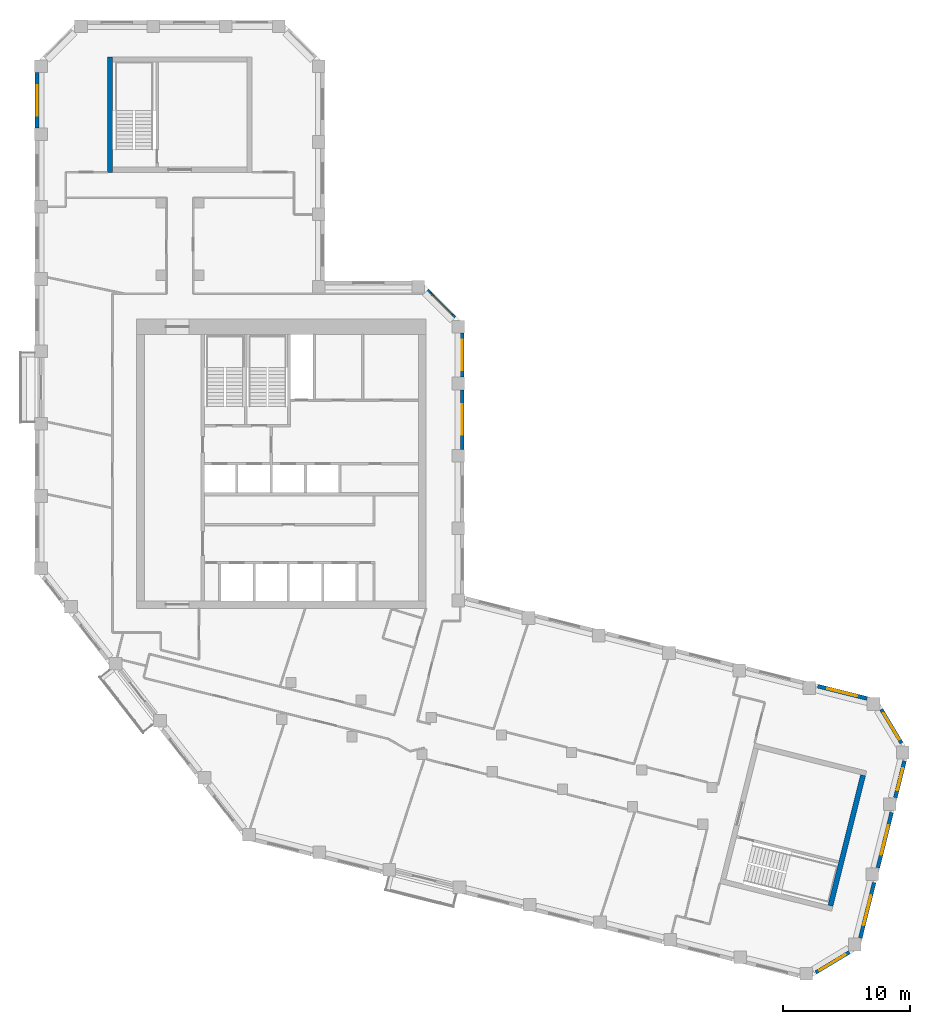
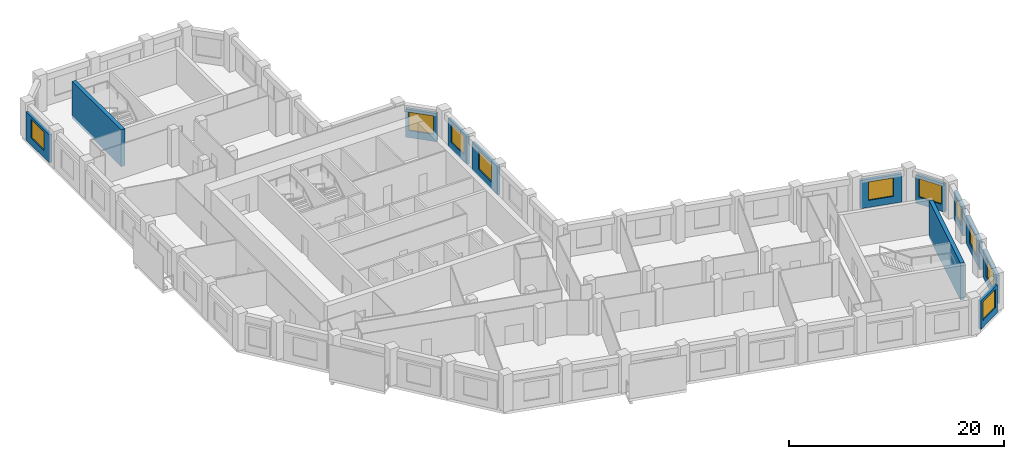
# One storey, part 7 of 9: 12 walls, 10 windows, 10 openings.
"""IFC4 building model written with IfcOpenShell, lengths in metres."""

from ifc_helpers import new_model, si_unit, direction, frame, frame_2d, origin, place, context, subcontext, project, spatial, rectangle, extrude, material, layer, layer_set, type_object, element, fill, save


model = new_model("IFC4")

# Units and contexts
model_context = context("Model", 3, precision=1e-05, world=origin(), true_north=direction((0.0, 1.0)))
body_context = subcontext(model_context, "Body", "Model", "MODEL_VIEW")
ifc_project = project(units=[si_unit("LENGTHUNIT", "METRE"), si_unit("AREAUNIT", "SQUARE_METRE"), si_unit("VOLUMEUNIT", "CUBIC_METRE"), si_unit("PLANEANGLEUNIT", "RADIAN"), si_unit("MASSUNIT", "GRAM", prefix="KILO")], contexts=[model_context])

# Site, building, storey
site_placement = place(None, origin())
site = spatial("IfcSite", under=ifc_project, at=site_placement, CompositionType="ELEMENT")
building_placement = place(site_placement, origin())
building = spatial("IfcBuilding", under=site, at=building_placement, Name="Meshkara Civic Tower", CompositionType="ELEMENT")
storey_placement = place(building_placement, frame((0.0, 0.0, 336.0)))
storey = spatial("IfcBuildingStorey", under=building, at=storey_placement, Name="L77", CompositionType="ELEMENT", Elevation=336.0)

# Wall, opening, window
ifc_material_1 = material(Name="Insulated infill panel with bronze anodised aluminium cladding", Category="aluminium")
ifc_layer_1 = layer(ifc_material_1, 0.300048828125)
ifc_layer_set_1 = layer_set([ifc_layer_1], Name="EXTERNAL INFILL WALL 300")
wall_type_1 = type_object("IfcWallType", Name="EXTERNAL INFILL WALL 300", PredefinedType="SOLIDWALL", material=ifc_layer_set_1)
wall_1_placement = place(storey_placement, frame((65.548095703125, 7.0, 0.0), z_axis=(0.0, 0.0, 1.0), x_axis=(-0.970260773365, 0.242062040951, 0.0)))
wall_1 = element("IfcWall", 1, at=wall_1_placement, inside=storey, type_object=wall_type_1, Name="External wall", PredefinedType="SOLIDWALL", context=body_context, shape_type="SweptSolid", body=[
    extrude(rectangle(XDim=4.003173828125, YDim=0.300048828125, at=frame_2d((2.00146484375, 0.0))), origin(), (0.0, 0.0, 1.0), 3.199951171875),
])
opening_1_placement = place(wall_1_placement, frame((0.801025390625, 0.0, 0.800048828125)))
opening_1 = element("IfcOpeningElement", 2, at=opening_1_placement, cuts=wall_1, Name="Opening W7", PredefinedType="OPENING", context=body_context, shape_type="SweptSolid", body=[
    extrude(rectangle(XDim=2.39990234375, YDim=2.10009765625, at=frame_2d((1.199951171875, 1.050048828125))), frame((0.0, 0.159912109375, 0.0), z_axis=(0.0, -1.0, 0.0), x_axis=(1.0, 0.0, 0.0)), (0.0, 0.0, 1.0), 0.320068359375),
])
ifc_material_2 = material(Name="Tinted double glazing", Category="glass")
window_type_1 = type_object("IfcWindowType", Name="WINDOW 2400x2100", PartitioningType="DOUBLE_PANEL_VERTICAL", PredefinedType="WINDOW", material=ifc_material_2)
window_1_placement = place(opening_1_placement, origin())
window_1 = element("IfcWindow", 3, at=window_1_placement, inside=storey, type_object=window_type_1, Name="Window", OverallHeight=2.10009765625, OverallWidth=2.39990234375, PartitioningType="DOUBLE_PANEL_VERTICAL", PredefinedType="WINDOW", context=body_context, shape_type="SweptSolid", body=[
    extrude(rectangle(XDim=2.39990234375, YDim=2.10009765625, at=frame_2d((1.199951171875, 1.050048828125))), frame((0.0, 0.030029296875, 0.0), z_axis=(0.0, -1.0, 0.0), x_axis=(1.0, 0.0, 0.0)), (0.0, 0.0, 1.0), 0.06005859375),
])
fill(opening_1, window_1)

wall_2_placement = place(storey_placement, frame((33.64990234375, 26.618896484375, 0.0), z_axis=(0.0, 0.0, 1.0), x_axis=(0.0, 1.0, 0.0)))
wall_2 = element("IfcWall", 4, at=wall_2_placement, inside=storey, type_object=wall_type_1, Name="External wall", PredefinedType="SOLIDWALL", context=body_context, shape_type="SweptSolid", body=[
    extrude(rectangle(XDim=4.7001953125, YDim=0.300048828125, at=frame_2d((2.35009765625, 0.0))), origin(), (0.0, 0.0, 1.0), 3.199951171875),
])
opening_2_placement = place(wall_2_placement, frame((1.14990234375, 0.0, 0.800048828125)))
opening_2 = element("IfcOpeningElement", 5, at=opening_2_placement, cuts=wall_2, Name="Opening W7", PredefinedType="OPENING", context=body_context, shape_type="SweptSolid", body=[
    extrude(rectangle(XDim=2.39990234375, YDim=2.10009765625, at=frame_2d((1.199951171875, 1.050048828125))), frame((0.0, 0.159912109375, 0.0), z_axis=(0.0, -1.0, 0.0), x_axis=(1.0, 0.0, 0.0)), (0.0, 0.0, 1.0), 0.320068359375),
])
window_2_placement = place(opening_2_placement, origin())
window_2 = element("IfcWindow", 6, at=window_2_placement, inside=storey, type_object=window_type_1, Name="Window", OverallHeight=2.10009765625, OverallWidth=2.39990234375, PartitioningType="DOUBLE_PANEL_VERTICAL", PredefinedType="WINDOW", context=body_context, shape_type="SweptSolid", body=[
    extrude(rectangle(XDim=2.39990234375, YDim=2.10009765625, at=frame_2d((1.199951171875, 1.050048828125))), frame((0.0, 0.030029296875, 0.0), z_axis=(0.0, -1.0, 0.0), x_axis=(1.0, 0.0, 0.0)), (0.0, 0.0, 1.0), 0.06005859375),
])
fill(opening_2, window_2)

wall_3_placement = place(storey_placement, frame((33.64990234375, 32.319091796875, 0.0), z_axis=(0.0, 0.0, 1.0), x_axis=(0.0, 1.0, 0.0)))
wall_3 = element("IfcWall", 7, at=wall_3_placement, inside=storey, type_object=wall_type_1, Name="External wall", PredefinedType="SOLIDWALL", context=body_context, shape_type="SweptSolid", body=[
    extrude(rectangle(XDim=3.474853515625, YDim=0.300048828125, at=frame_2d((1.7373046875, 0.0))), origin(), (0.0, 0.0, 1.0), 3.199951171875),
])
opening_3_placement = place(wall_3_placement, frame((0.5380859375, 0.0, 0.800048828125)))
opening_3 = element("IfcOpeningElement", 8, at=opening_3_placement, cuts=wall_3, Name="Opening W7", PredefinedType="OPENING", context=body_context, shape_type="SweptSolid", body=[
    extrude(rectangle(XDim=2.39990234375, YDim=2.10009765625, at=frame_2d((1.199951171875, 1.050048828125))), frame((0.0, 0.159912109375, 0.0), z_axis=(0.0, -1.0, 0.0), x_axis=(1.0, 0.0, 0.0)), (0.0, 0.0, 1.0), 0.320068359375),
])
window_3_placement = place(opening_3_placement, origin())
window_3 = element("IfcWindow", 9, at=window_3_placement, inside=storey, type_object=window_type_1, Name="Window", OverallHeight=2.10009765625, OverallWidth=2.39990234375, PartitioningType="DOUBLE_PANEL_VERTICAL", PredefinedType="WINDOW", context=body_context, shape_type="SweptSolid", body=[
    extrude(rectangle(XDim=2.39990234375, YDim=2.10009765625, at=frame_2d((1.199951171875, 1.050048828125))), frame((0.0, 0.030029296875, 0.0), z_axis=(0.0, -1.0, 0.0), x_axis=(1.0, 0.0, 0.0)), (0.0, 0.0, 1.0), 0.06005859375),
])
fill(opening_3, window_3)

wall_4_placement = place(storey_placement, frame((33.06201171875, 37.006103515625, 0.0), z_axis=(0.0, 0.0, 1.0), x_axis=(-0.707106781187, 0.707106781187, 0.0)))
wall_4 = element("IfcWall", 10, at=wall_4_placement, inside=storey, type_object=wall_type_1, Name="External wall", PredefinedType="SOLIDWALL", context=body_context, shape_type="SweptSolid", body=[
    extrude(rectangle(XDim=3.049072265625, YDim=0.300048828125, at=frame_2d((1.5244140625, 0.0))), origin(), (0.0, 0.0, 1.0), 3.199951171875),
])
opening_4_placement = place(wall_4_placement, frame((0.324951171875, 0.0, 0.800048828125)))
opening_4 = element("IfcOpeningElement", 11, at=opening_4_placement, cuts=wall_4, Name="Opening W7", PredefinedType="OPENING", context=body_context, shape_type="SweptSolid", body=[
    extrude(rectangle(XDim=2.39990234375, YDim=2.10009765625, at=frame_2d((1.199951171875, 1.050048828125))), frame((0.0, 0.159912109375, 0.0), z_axis=(0.0, -1.0, 0.0), x_axis=(1.0, 0.0, 0.0)), (0.0, 0.0, 1.0), 0.320068359375),
])
window_4_placement = place(opening_4_placement, origin())
window_4 = element("IfcWindow", 12, at=window_4_placement, inside=storey, type_object=window_type_1, Name="Window", OverallHeight=2.10009765625, OverallWidth=2.39990234375, PartitioningType="DOUBLE_PANEL_VERTICAL", PredefinedType="WINDOW", context=body_context, shape_type="SweptSolid", body=[
    extrude(rectangle(XDim=2.39990234375, YDim=2.10009765625, at=frame_2d((1.199951171875, 1.050048828125))), frame((0.0, 0.030029296875, 0.0), z_axis=(0.0, -1.0, 0.0), x_axis=(1.0, 0.0, 0.0)), (0.0, 0.0, 1.0), 0.06005859375),
])
fill(opening_4, window_4)

wall_5_placement = place(storey_placement, frame((0.14990234375, 56.31396484375, 0.0), z_axis=(0.0, 0.0, 1.0), x_axis=(0.0, -1.0, 0.0)))
wall_5 = element("IfcWall", 13, at=wall_5_placement, inside=storey, type_object=wall_type_1, Name="External wall", PredefinedType="SOLIDWALL", context=body_context, shape_type="SweptSolid", body=[
    extrude(rectangle(XDim=4.35888671875, YDim=0.300048828125, at=frame_2d((2.179443359375, 0.0))), origin(), (0.0, 0.0, 1.0), 3.199951171875),
])
opening_5_placement = place(wall_5_placement, frame((0.97998046875, 0.0, 0.800048828125)))
opening_5 = element("IfcOpeningElement", 14, at=opening_5_placement, cuts=wall_5, Name="Opening W7", PredefinedType="OPENING", context=body_context, shape_type="SweptSolid", body=[
    extrude(rectangle(XDim=2.39990234375, YDim=2.10009765625, at=frame_2d((1.199951171875, 1.050048828125))), frame((0.0, 0.159912109375, 0.0), z_axis=(0.0, -1.0, 0.0), x_axis=(1.0, 0.0, 0.0)), (0.0, 0.0, 1.0), 0.320068359375),
])
window_5_placement = place(opening_5_placement, origin())
window_5 = element("IfcWindow", 15, at=window_5_placement, inside=storey, type_object=window_type_1, Name="Window", OverallHeight=2.10009765625, OverallWidth=2.39990234375, PartitioningType="DOUBLE_PANEL_VERTICAL", PredefinedType="WINDOW", context=body_context, shape_type="SweptSolid", body=[
    extrude(rectangle(XDim=2.39990234375, YDim=2.10009765625, at=frame_2d((1.199951171875, 1.050048828125))), frame((0.0, 0.030029296875, 0.0), z_axis=(0.0, -1.0, 0.0), x_axis=(1.0, 0.0, 0.0)), (0.0, 0.0, 1.0), 0.06005859375),
])
fill(opening_5, window_5)

wall_6_placement = place(storey_placement, frame((61.509033203125, -14.591064453125, 0.0), z_axis=(0.0, 0.0, 1.0), x_axis=(0.856969799001, 0.515366630275, 0.0)))
wall_6 = element("IfcWall", 16, at=wall_6_placement, inside=storey, type_object=wall_type_1, Name="External wall", PredefinedType="SOLIDWALL", context=body_context, shape_type="SweptSolid", body=[
    extrude(rectangle(XDim=3.091064453125, YDim=0.300048828125, at=frame_2d((1.54541015625, 0.0))), origin(), (0.0, 0.0, 1.0), 3.199951171875),
])
opening_6_placement = place(wall_6_placement, frame((0.344970703125, 0.0, 0.800048828125)))
opening_6 = element("IfcOpeningElement", 17, at=opening_6_placement, cuts=wall_6, Name="Opening W7", PredefinedType="OPENING", context=body_context, shape_type="SweptSolid", body=[
    extrude(rectangle(XDim=2.39990234375, YDim=2.10009765625, at=frame_2d((1.199951171875, 1.050048828125))), frame((0.0, 0.159912109375, 0.0), z_axis=(0.0, -1.0, 0.0), x_axis=(1.0, 0.0, 0.0)), (0.0, 0.0, 1.0), 0.320068359375),
])
window_6_placement = place(opening_6_placement, origin())
window_6 = element("IfcWindow", 18, at=window_6_placement, inside=storey, type_object=window_type_1, Name="Window", OverallHeight=2.10009765625, OverallWidth=2.39990234375, PartitioningType="DOUBLE_PANEL_VERTICAL", PredefinedType="WINDOW", context=body_context, shape_type="SweptSolid", body=[
    extrude(rectangle(XDim=2.39990234375, YDim=2.10009765625, at=frame_2d((1.199951171875, 1.050048828125))), frame((0.0, 0.030029296875, 0.0), z_axis=(0.0, -1.0, 0.0), x_axis=(1.0, 0.0, 0.0)), (0.0, 0.0, 1.0), 0.06005859375),
])
fill(opening_6, window_6)

wall_7_placement = place(storey_placement, frame((65.029052734375, -11.8720703125, 0.0), z_axis=(0.0, 0.0, 1.0), x_axis=(0.241946839653, 0.970289506684, 0.0)))
wall_7 = element("IfcWall", 19, at=wall_7_placement, inside=storey, type_object=wall_type_1, Name="External wall", PredefinedType="SOLIDWALL", context=body_context, shape_type="SweptSolid", body=[
    extrude(rectangle(XDim=4.48828125, YDim=0.300048828125, at=frame_2d((2.244140625, 0.0))), origin(), (0.0, 0.0, 1.0), 3.199951171875),
])
opening_7_placement = place(wall_7_placement, frame((1.0439453125, 0.0, 0.800048828125)))
opening_7 = element("IfcOpeningElement", 20, at=opening_7_placement, cuts=wall_7, Name="Opening W7", PredefinedType="OPENING", context=body_context, shape_type="SweptSolid", body=[
    extrude(rectangle(XDim=2.39990234375, YDim=2.10009765625, at=frame_2d((1.199951171875, 1.050048828125))), frame((0.0, 0.159912109375, 0.0), z_axis=(0.0, -1.0, 0.0), x_axis=(1.0, 0.0, 0.0)), (0.0, 0.0, 1.0), 0.320068359375),
])
window_7_placement = place(opening_7_placement, origin())
window_7 = element("IfcWindow", 21, at=window_7_placement, inside=storey, type_object=window_type_1, Name="Window", OverallHeight=2.10009765625, OverallWidth=2.39990234375, PartitioningType="DOUBLE_PANEL_VERTICAL", PredefinedType="WINDOW", context=body_context, shape_type="SweptSolid", body=[
    extrude(rectangle(XDim=2.39990234375, YDim=2.10009765625, at=frame_2d((1.199951171875, 1.050048828125))), frame((0.0, 0.030029296875, 0.0), z_axis=(0.0, -1.0, 0.0), x_axis=(1.0, 0.0, 0.0)), (0.0, 0.0, 1.0), 0.06005859375),
])
fill(opening_7, window_7)

wall_8_placement = place(storey_placement, frame((66.407958984375, -6.341064453125, 0.0), z_axis=(0.0, 0.0, 1.0), x_axis=(0.241997928406, 0.970276766004, 0.0)))
wall_8 = element("IfcWall", 22, at=wall_8_placement, inside=storey, type_object=wall_type_1, Name="External wall", PredefinedType="SOLIDWALL", context=body_context, shape_type="SweptSolid", body=[
    extrude(rectangle(XDim=4.4873046875, YDim=0.300048828125, at=frame_2d((2.24365234375, 0.0))), origin(), (0.0, 0.0, 1.0), 3.199951171875),
])
opening_8_placement = place(wall_8_placement, frame((1.0439453125, 0.0, 0.800048828125)))
opening_8 = element("IfcOpeningElement", 23, at=opening_8_placement, cuts=wall_8, Name="Opening W7", PredefinedType="OPENING", context=body_context, shape_type="SweptSolid", body=[
    extrude(rectangle(XDim=2.39990234375, YDim=2.10009765625, at=frame_2d((1.199951171875, 1.050048828125))), frame((0.0, 0.159912109375, 0.0), z_axis=(0.0, -1.0, 0.0), x_axis=(1.0, 0.0, 0.0)), (0.0, 0.0, 1.0), 0.320068359375),
])
window_8_placement = place(opening_8_placement, origin())
window_8 = element("IfcWindow", 24, at=window_8_placement, inside=storey, type_object=window_type_1, Name="Window", OverallHeight=2.10009765625, OverallWidth=2.39990234375, PartitioningType="DOUBLE_PANEL_VERTICAL", PredefinedType="WINDOW", context=body_context, shape_type="SweptSolid", body=[
    extrude(rectangle(XDim=2.39990234375, YDim=2.10009765625, at=frame_2d((1.199951171875, 1.050048828125))), frame((0.0, 0.030029296875, 0.0), z_axis=(0.0, -1.0, 0.0), x_axis=(1.0, 0.0, 0.0)), (0.0, 0.0, 1.0), 0.06005859375),
])
fill(opening_8, window_8)

wall_9_placement = place(storey_placement, frame((67.787109375, -0.81103515625, 0.0), z_axis=(0.0, 0.0, 1.0), x_axis=(0.242052773757, 0.970263085311, 0.0)))
wall_9 = element("IfcWall", 25, at=wall_9_placement, inside=storey, type_object=wall_type_1, Name="External wall", PredefinedType="SOLIDWALL", context=body_context, shape_type="SweptSolid", body=[
    extrude(rectangle(XDim=2.974365234375, YDim=0.300048828125, at=frame_2d((1.4873046875, 0.0))), origin(), (0.0, 0.0, 1.0), 3.199951171875),
])
opening_9_placement = place(wall_9_placement, frame((0.5869140625, 0.0, 0.800048828125)))
opening_9 = element("IfcOpeningElement", 26, at=opening_9_placement, cuts=wall_9, Name="Opening W9", PredefinedType="OPENING", context=body_context, shape_type="SweptSolid", body=[
    extrude(rectangle(XDim=1.800048828125, YDim=2.10009765625, at=frame_2d((0.89990234375, 1.050048828125))), frame((0.0, 0.159912109375, 0.0), z_axis=(0.0, -1.0, 0.0), x_axis=(1.0, 0.0, 0.0)), (0.0, 0.0, 1.0), 0.320068359375),
])
ifc_material_3 = material(Name="Tinted double glazing", Category="glass")
window_type_2 = type_object("IfcWindowType", Name="WINDOW 1800x2100", PartitioningType="DOUBLE_PANEL_VERTICAL", PredefinedType="WINDOW", material=ifc_material_3)
window_9_placement = place(opening_9_placement, origin())
window_9 = element("IfcWindow", 27, at=window_9_placement, inside=storey, type_object=window_type_2, Name="Window", OverallHeight=2.10009765625, OverallWidth=1.800048828125, PartitioningType="DOUBLE_PANEL_VERTICAL", PredefinedType="WINDOW", context=body_context, shape_type="SweptSolid", body=[
    extrude(rectangle(XDim=1.800048828125, YDim=2.10009765625, at=frame_2d((0.89990234375, 1.050048828125))), frame((0.0, 0.030029296875, 0.0), z_axis=(0.0, -1.0, 0.0), x_axis=(1.0, 0.0, 0.0)), (0.0, 0.0, 1.0), 0.06005859375),
])
fill(opening_9, window_9)

wall_10_placement = place(storey_placement, frame((68.26611328125, 3.47900390625, 0.0), z_axis=(0.0, 0.0, 1.0), x_axis=(-0.514995068029, 0.857193140375, 0.0)))
wall_10 = element("IfcWall", 28, at=wall_10_placement, inside=storey, type_object=wall_type_1, Name="External wall", PredefinedType="SOLIDWALL", context=body_context, shape_type="SweptSolid", body=[
    extrude(rectangle(XDim=3.09130859375, YDim=0.300048828125, at=frame_2d((1.545654296875, 0.0))), origin(), (0.0, 0.0, 1.0), 3.199951171875),
])
opening_10_placement = place(wall_10_placement, frame((0.345947265625, 0.0, 0.800048828125)))
opening_10 = element("IfcOpeningElement", 29, at=opening_10_placement, cuts=wall_10, Name="Opening W7", PredefinedType="OPENING", context=body_context, shape_type="SweptSolid", body=[
    extrude(rectangle(XDim=2.39990234375, YDim=2.10009765625, at=frame_2d((1.199951171875, 1.050048828125))), frame((0.0, 0.159912109375, 0.0), z_axis=(0.0, -1.0, 0.0), x_axis=(1.0, 0.0, 0.0)), (0.0, 0.0, 1.0), 0.320068359375),
])
window_10_placement = place(opening_10_placement, origin())
window_10 = element("IfcWindow", 30, at=window_10_placement, inside=storey, type_object=window_type_1, Name="Window", OverallHeight=2.10009765625, OverallWidth=2.39990234375, PartitioningType="DOUBLE_PANEL_VERTICAL", PredefinedType="WINDOW", context=body_context, shape_type="SweptSolid", body=[
    extrude(rectangle(XDim=2.39990234375, YDim=2.10009765625, at=frame_2d((1.199951171875, 1.050048828125))), frame((0.0, 0.030029296875, 0.0), z_axis=(0.0, -1.0, 0.0), x_axis=(1.0, 0.0, 0.0)), (0.0, 0.0, 1.0), 0.06005859375),
])
fill(opening_10, window_10)

# Walls
ifc_material_4 = material(Name="Concrete C60", Category="concrete")
ifc_layer_2 = layer(ifc_material_4, 0.39990234375)
ifc_layer_set_2 = layer_set([ifc_layer_2], Name="End core ring wall 400 C60")
wall_type_2 = type_object("IfcWallType", Name="End core ring wall 400 C60", PredefinedType="SHEAR", material=ifc_layer_set_2)
wall_11_placement = place(storey_placement, frame((5.89990234375, 48.469970703125, -0.300048828125), z_axis=(0.0, 0.0, 1.0), x_axis=(0.0, 1.0, 0.0)))
element("IfcWall", 31, at=wall_11_placement, inside=storey, type_object=wall_type_2, Name="L77-C027", PredefinedType="SHEAR", context=body_context, shape_type="SweptSolid", body=[
    extrude(rectangle(XDim=9.10009765625, YDim=0.39990234375, at=frame_2d((4.550048828125, 0.0))), origin(), (0.0, 0.0, 1.0), 4.199951171875),
])
wall_12_placement = place(storey_placement, frame((62.672119140625, -9.339111328125, -0.300048828125), z_axis=(0.0, 0.0, 1.0), x_axis=(0.241971982666, 0.970283236795, 0.0)))
element("IfcWall", 32, at=wall_12_placement, inside=storey, type_object=wall_type_2, Name="L77-C035", PredefinedType="SHEAR", context=body_context, shape_type="SweptSolid", body=[
    extrude(rectangle(XDim=10.60009765625, YDim=0.39990234375, at=frame_2d((5.300048828125, 0.0))), origin(), (0.0, 0.0, 1.0), 4.199951171875),
])

save(model, "model.ifc")
